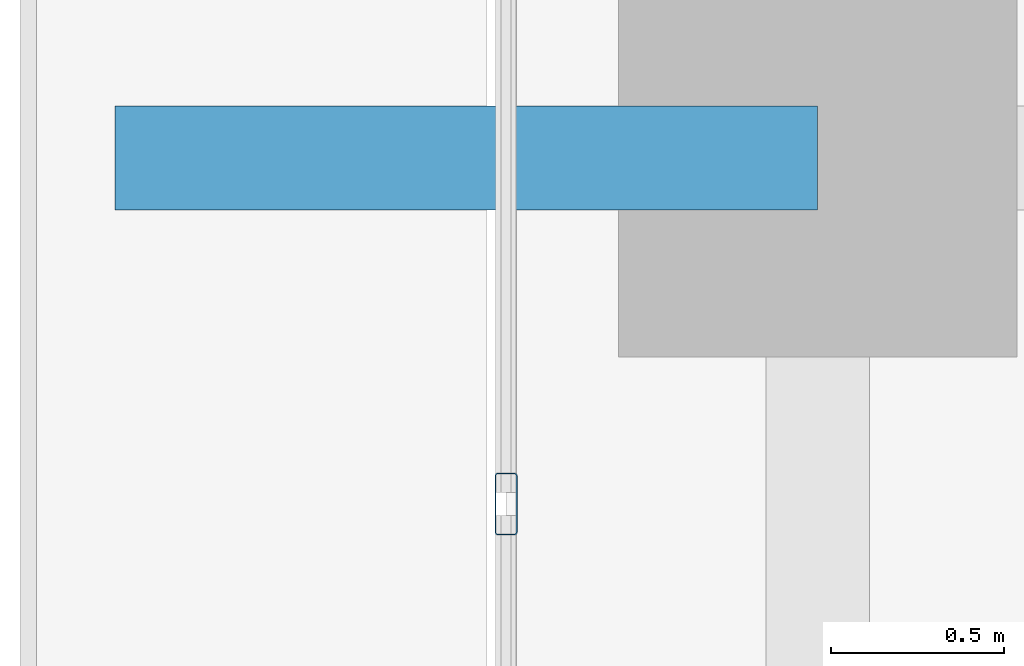
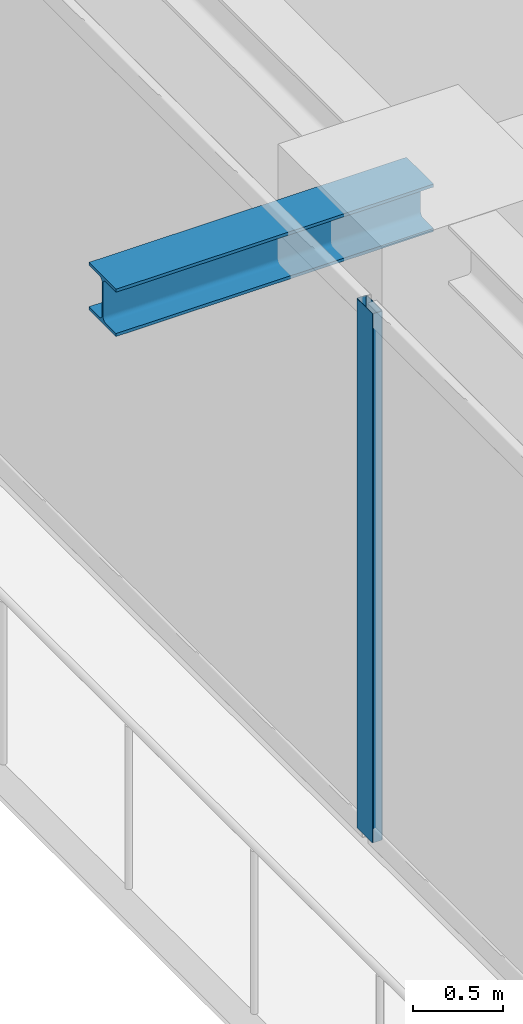
# One storey, part 9 of 38: 1 beam, 1 member, 1 element without a shape of its own.
"""IFC4 building model written with IfcOpenShell, lengths in metres."""

from ifc_helpers import new_model, si_unit, direction, frame, origin, origin_2d, place, context, subcontext, project, spatial, hollow_rectangle, i_section, extrude, source, transform, mapped, material, layer, layer_set, material_profile, profile_set, type_object, element, aggregate, save


model = new_model("IFC4")

# Units and contexts
model_context = context("Model", 3, precision=1e-05, world=origin(), true_north=direction((0.0, 1.0)))
body_context = subcontext(model_context, "Body", "Model", "MODEL_VIEW")
ifc_project = project(units=[si_unit("LENGTHUNIT", "METRE"), si_unit("AREAUNIT", "SQUARE_METRE"), si_unit("VOLUMEUNIT", "CUBIC_METRE"), si_unit("PLANEANGLEUNIT", "RADIAN"), si_unit("MASSUNIT", "GRAM", prefix="KILO")], contexts=[model_context])

# Site, building, storey
site_placement = place(None, origin())
site = spatial("IfcSite", under=ifc_project, at=site_placement, CompositionType="ELEMENT")
building_placement = place(site_placement, origin())
building = spatial("IfcBuilding", under=site, at=building_placement, Name="Serunith Strait Residences", CompositionType="ELEMENT")
storey_placement = place(building_placement, frame((0.0, 0.0, 245.10009765625)))
storey = spatial("IfcBuildingStorey", under=building, at=storey_placement, Name="L61", CompositionType="ELEMENT", Elevation=245.10009765625)

# Beam
ifc_material_1 = material(Name="Steel S355J2", Category="steel")
ifc_material_profile_1 = material_profile(ifc_material_1, i_section(OverallWidth=0.300048828125, OverallDepth=0.320068359375, WebThickness=0.011474609375, FlangeThickness=0.0205078125, FilletRadius=0.027099609375, at=origin_2d()), Name="HEB 320")
ifc_profile_set_1 = profile_set([ifc_material_profile_1], Name="Steel S355J2")
beam_type = type_object("IfcBeamType", Name="BM-HEB320", PredefinedType="BEAM", material=ifc_profile_set_1)
shared_shape_1 = source(origin(), body_context, "Body", "SweptSolid", [
    extrude(i_section(OverallWidth=0.300048828125, OverallDepth=0.320068359375, WebThickness=0.011474609375, FlangeThickness=0.0205078125, FilletRadius=0.027099609375, at=origin_2d()), origin(), (0.0, 0.0, 1.0), 2.030029296875),
])
beam_placement = place(storey_placement, frame((8.300048828125, 29.39990234375, 3.39697265625), z_axis=(-1.0, 0.0, 0.0), x_axis=(0.0, -1.0, 0.0)))
element("IfcBeam", 1, at=beam_placement, inside=storey, type_object=beam_type, Name="L62 Cantilevered Balcony Rib TC-W3", PredefinedType="BEAM", context=body_context, shape_type="MappedRepresentation", body=[
    mapped(shared_shape_1, transform((0.0, 0.0, 0.0), scale=1.0)),
])

# Curtain wall, member
ifc_material_2 = material(Name="Pale-Champagne Anodised Aluminium", Category="aluminium")
ifc_layer = layer(ifc_material_2, 0.199951171875, Name="Pale-Champagne Anodised Aluminium")
ifc_layer_set = layer_set([ifc_layer], Name="Pale-Champagne Anodised Aluminium")
curtain_wall_type = type_object("IfcCurtainWallType", Name="CW-SYS4", PredefinedType="NOTDEFINED", material=ifc_layer_set)
curtain_wall_placement = place(storey_placement, origin())
curtain_wall = element("IfcCurtainWall", 2, at=curtain_wall_placement, inside=storey, type_object=curtain_wall_type, Name="L61 W Unitised Fritted Curtain Wall", PredefinedType="NOTDEFINED")
ifc_material_profile_2 = material_profile(ifc_material_2, hollow_rectangle(XDim=0.06494140625, YDim=0.179931640625, WallThickness=0.00341796875, InnerFilletRadius=0.00537109375, OuterFilletRadius=0.0087890625, at=origin_2d()), Name="ALU 180x65x3.5")
ifc_profile_set_2 = profile_set([ifc_material_profile_2], Name="Pale-Champagne Anodised Aluminium")
member_type = type_object("IfcMemberType", Name="CW-SYS4-MULL", PredefinedType="MULLION", material=ifc_profile_set_2)
shared_shape_2 = source(origin(), body_context, "Body", "SweptSolid", [
    extrude(hollow_rectangle(XDim=0.06494140625, YDim=0.179931640625, WallThickness=0.00341796875, InnerFilletRadius=0.00537109375, OuterFilletRadius=0.0087890625, at=origin_2d()), origin(), (0.0, 0.0, 1.0), 3.574951171875),
])
member_placement = place(storey_placement, frame((7.39990234375, 28.39990234375, 0.0), z_axis=(0.0, 0.0, 1.0), x_axis=(1.0, 0.0, 0.0)))
member = element("IfcMember", 3, at=member_placement, type_object=member_type, Name="CW-4 mullion 3", PredefinedType="MULLION", context=body_context, shape_type="MappedRepresentation", body=[
    mapped(shared_shape_2, transform((0.0, 0.0, 0.0), scale=1.0)),
])
aggregate(curtain_wall, [member])

save(model, "model.ifc")
